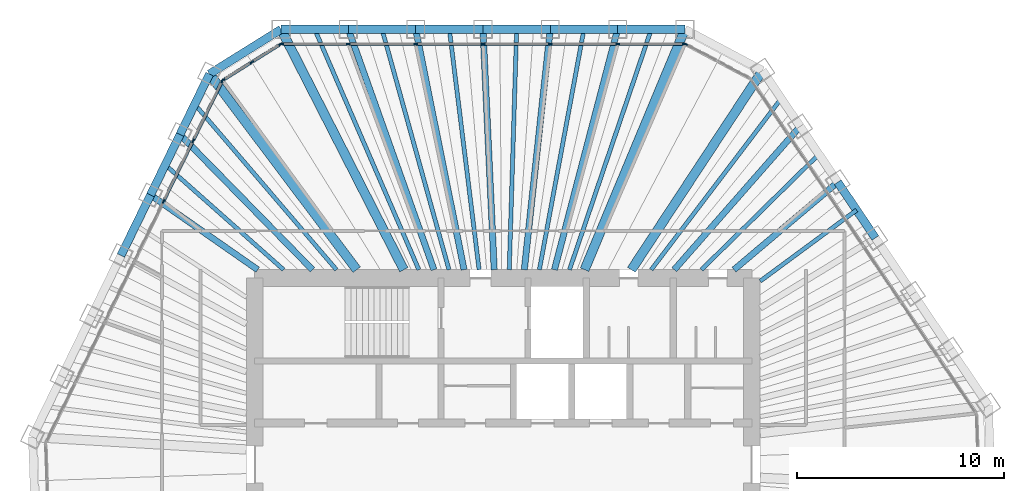
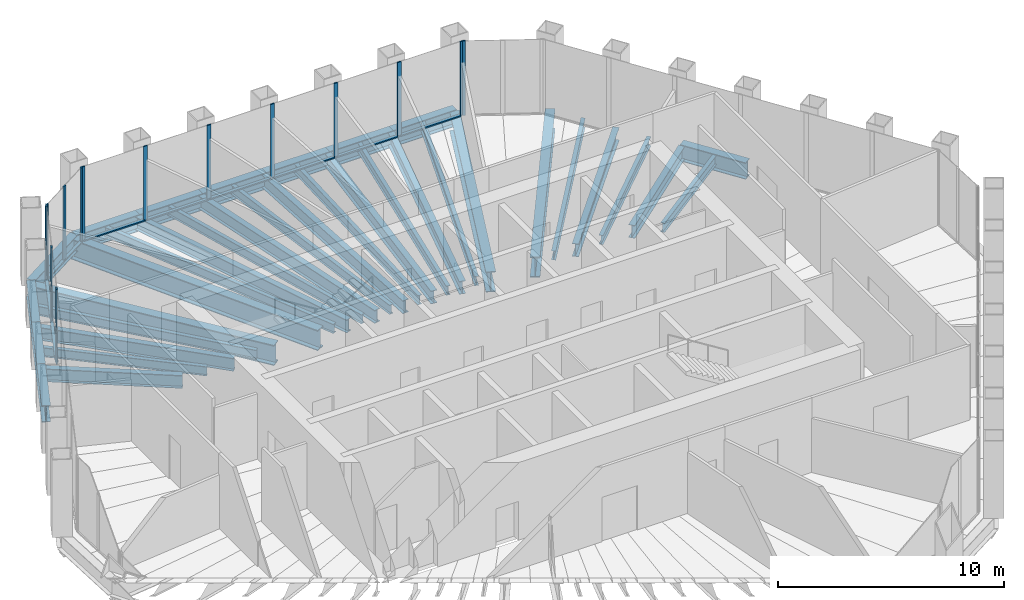
# One storey, part 7 of 15: 35 beams, 24 members, 4 elements without a shape of their own.
"""IFC4 building model written with IfcOpenShell, lengths in metres."""

from ifc_helpers import new_model, si_unit, direction, frame, origin, origin_2d, place, context, subcontext, project, spatial, rectangle, i_section, extrude, material, material_profile, profile_set, type_object, element, aggregate, save


model = new_model("IFC4")

# Units and contexts
model_context = context("Model", 3, precision=1e-05, world=origin(), true_north=direction((0.0, 1.0)))
body_context = subcontext(model_context, "Body", "Model", "MODEL_VIEW")
ifc_project = project(units=[si_unit("LENGTHUNIT", "METRE"), si_unit("AREAUNIT", "SQUARE_METRE"), si_unit("VOLUMEUNIT", "CUBIC_METRE"), si_unit("PLANEANGLEUNIT", "RADIAN"), si_unit("MASSUNIT", "GRAM", prefix="KILO")], contexts=[model_context])

# Site, building, storey
site_placement = place(None, origin())
site = spatial("IfcSite", under=ifc_project, at=site_placement, CompositionType="ELEMENT")
building_placement = place(site_placement, origin())
building = spatial("IfcBuilding", under=site, at=building_placement, Name="Qingtian Harvest Tower", CompositionType="ELEMENT")
storey_placement = place(building_placement, frame((0.0, 0.0, 312.39990234375)))
storey = spatial("IfcBuildingStorey", under=building, at=storey_placement, Name="L69", CompositionType="ELEMENT", Elevation=312.39990234375)

# Beams
ifc_material_1 = material(Name="Steel SM570MC", Category="steel")
ifc_material_profile_1 = material_profile(ifc_material_1, i_section(OverallWidth=0.449951171875, OverallDepth=1.10009765625, WebThickness=0.02197265625, FlangeThickness=0.044921875, at=origin_2d()), Name="H1100x450x22x45")
ifc_profile_set_1 = profile_set([ifc_material_profile_1], Name="Steel SM570MC")
beam_type_1 = type_object("IfcBeamType", Name="Corner floor beam FB8 H1100x450x22x45", PredefinedType="BEAM", material=ifc_profile_set_1)
beam_1_placement = place(storey_placement, frame((-10.72216796875, 21.0, -0.719970703125), z_axis=(0.454725592954, -0.890631593372, 0.0), x_axis=(0.890631593372, 0.454725592954, 0.0)))
element("IfcBeam", 1, at=beam_1_placement, inside=storey, type_object=beam_type_1, Name="Floor beam FB8 N0", PredefinedType="BEAM", context=body_context, shape_type="SweptSolid", body=[
    extrude(i_section(OverallWidth=0.449951171875, OverallDepth=1.10009765625, WebThickness=0.02197265625, FlangeThickness=0.044921875, at=origin_2d()), origin(), (0.0, 0.0, 1.0), 13.024658203125),
])
beam_2_placement = place(storey_placement, frame((8.765869140625, 21.0, -0.719970703125), z_axis=(-0.385202803059, -0.922831945977, 0.0), x_axis=(0.922831945977, -0.385202803059, 0.0)))
element("IfcBeam", 2, at=beam_2_placement, inside=storey, type_object=beam_type_1, Name="Floor beam FB8 N6", PredefinedType="BEAM", context=body_context, shape_type="SweptSolid", body=[
    extrude(i_section(OverallWidth=0.449951171875, OverallDepth=1.10009765625, WebThickness=0.02197265625, FlangeThickness=0.044921875, at=origin_2d()), origin(), (0.0, 0.0, 1.0), 12.570068359375),
])
beam_3_placement = place(storey_placement, frame((12.508056640625, 19.01025390625, -0.719970703125), z_axis=(-0.549655478371, -0.835391438247, 0.0), x_axis=(0.835391438247, -0.549655478371, 0.0)))
element("IfcBeam", 3, at=beam_3_placement, inside=storey, type_object=beam_type_1, Name="Floor beam FB8 NE0", PredefinedType="BEAM", context=body_context, shape_type="SweptSolid", body=[
    extrude(i_section(OverallWidth=0.449951171875, OverallDepth=1.10009765625, WebThickness=0.02197265625, FlangeThickness=0.044921875, at=origin_2d()), origin(), (0.0, 0.0, 1.0), 11.50390625),
])
beam_4_placement = place(storey_placement, frame((-14.17431640625, 18.8427734375, -0.719970703125), z_axis=(0.601143201392, -0.799141321307, 0.0), x_axis=(0.799141321307, 0.601143201392, 0.0)))
element("IfcBeam", 4, at=beam_4_placement, inside=storey, type_object=beam_type_1, Name="Floor beam FB8 NW6", PredefinedType="BEAM", context=body_context, shape_type="SweptSolid", body=[
    extrude(i_section(OverallWidth=0.449951171875, OverallDepth=1.10009765625, WebThickness=0.02197265625, FlangeThickness=0.044921875, at=origin_2d()), origin(), (0.0, 0.0, 1.0), 11.816162109375),
])
ifc_material_2 = material(Name="Steel SN490B", Category="steel")
ifc_material_profile_2 = material_profile(ifc_material_2, i_section(OverallWidth=0.300048828125, OverallDepth=0.699951171875, WebThickness=0.012939453125, FlangeThickness=0.02392578125, at=origin_2d()), Name="H700x300x13x24")
ifc_profile_set_2 = profile_set([ifc_material_profile_2], Name="Steel SN490B")
beam_type_2 = type_object("IfcBeamType", Name="Floor beam FB4 H700x300x13x24", PredefinedType="BEAM", material=ifc_profile_set_2)
beam_5_placement = place(storey_placement, frame((-7.47412109375, 21.0, -0.52001953125), z_axis=(0.335293644082, -0.942113672673, 0.0), x_axis=(0.942113672673, 0.335293644082, 0.0)))
element("IfcBeam", 5, at=beam_5_placement, inside=storey, type_object=beam_type_2, Name="Floor beam FB4 N1", PredefinedType="BEAM", context=body_context, shape_type="SweptSolid", body=[
    extrude(i_section(OverallWidth=0.300048828125, OverallDepth=0.699951171875, WebThickness=0.012939453125, FlangeThickness=0.02392578125, at=origin_2d()), origin(), (0.0, 0.0, 1.0), 12.312744140625),
])
beam_6_placement = place(storey_placement, frame((-4.226318359375, 21.0, -0.52001953125), z_axis=(0.197290474792, -0.980345076265, 0.0), x_axis=(0.980345076265, 0.197290474792, 0.0)))
element("IfcBeam", 6, at=beam_6_placement, inside=storey, type_object=beam_type_2, Name="Floor beam FB4 N2", PredefinedType="BEAM", context=body_context, shape_type="SweptSolid", body=[
    extrude(i_section(OverallWidth=0.300048828125, OverallDepth=0.699951171875, WebThickness=0.012939453125, FlangeThickness=0.02392578125, at=origin_2d()), origin(), (0.0, 0.0, 1.0), 11.832763671875),
])
beam_7_placement = place(storey_placement, frame((-0.978271484375, 21.0, -0.52001953125), z_axis=(0.046546287853, -0.998916134161, 0.0), x_axis=(0.998916134161, 0.046546287853, 0.0)))
element("IfcBeam", 7, at=beam_7_placement, inside=storey, type_object=beam_type_2, Name="Floor beam FB4 N3", PredefinedType="BEAM", context=body_context, shape_type="SweptSolid", body=[
    extrude(i_section(OverallWidth=0.300048828125, OverallDepth=0.699951171875, WebThickness=0.012939453125, FlangeThickness=0.02392578125, at=origin_2d()), origin(), (0.0, 0.0, 1.0), 11.61279296875),
])
beam_8_placement = place(storey_placement, frame((2.269775390625, 21.0, -0.52001953125), z_axis=(-0.107447744153, -0.994210733334, 0.0), x_axis=(0.994210733334, -0.107447744153, 0.0)))
element("IfcBeam", 8, at=beam_8_placement, inside=storey, type_object=beam_type_2, Name="Floor beam FB4 N4", PredefinedType="BEAM", context=body_context, shape_type="SweptSolid", body=[
    extrude(i_section(OverallWidth=0.300048828125, OverallDepth=0.699951171875, WebThickness=0.012939453125, FlangeThickness=0.02392578125, at=origin_2d()), origin(), (0.0, 0.0, 1.0), 11.667724609375),
])
beam_9_placement = place(storey_placement, frame((5.517822265625, 21.0, -0.52001953125), z_axis=(-0.254118548412, -0.967173078282, 0.0), x_axis=(0.967173078282, -0.254118548412, 0.0)))
element("IfcBeam", 9, at=beam_9_placement, inside=storey, type_object=beam_type_2, Name="Floor beam FB4 N5", PredefinedType="BEAM", context=body_context, shape_type="SweptSolid", body=[
    extrude(i_section(OverallWidth=0.300048828125, OverallDepth=0.699951171875, WebThickness=0.012939453125, FlangeThickness=0.02392578125, at=origin_2d()), origin(), (0.0, 0.0, 1.0), 11.993896484375),
])
beam_10_placement = place(storey_placement, frame((14.32421875, 16.317626953125, -0.52001953125), z_axis=(-0.659703637934, -0.751525854576, 0.0), x_axis=(0.751525854576, -0.659703637934, 0.0)))
element("IfcBeam", 10, at=beam_10_placement, inside=storey, type_object=beam_type_2, Name="Floor beam FB4 NE1", PredefinedType="BEAM", context=body_context, shape_type="SweptSolid", body=[
    extrude(i_section(OverallWidth=0.300048828125, OverallDepth=0.699951171875, WebThickness=0.012939453125, FlangeThickness=0.02392578125, at=origin_2d()), origin(), (0.0, 0.0, 1.0), 9.204833984375),
])
beam_11_placement = place(storey_placement, frame((16.140625, 13.624755859375, -0.52001953125), z_axis=(-0.764157701072, -0.645029462809, 0.0), x_axis=(0.645029462809, -0.764157701072, 0.0)))
element("IfcBeam", 11, at=beam_11_placement, inside=storey, type_object=beam_type_2, Name="Floor beam FB4 NE2", PredefinedType="BEAM", context=body_context, shape_type="SweptSolid", body=[
    extrude(i_section(OverallWidth=0.300048828125, OverallDepth=0.699951171875, WebThickness=0.012939453125, FlangeThickness=0.02392578125, at=origin_2d()), origin(), (0.0, 0.0, 1.0), 6.5498046875),
])
beam_12_placement = place(storey_placement, frame((-17.02197265625, 13.00439453125, -0.52001953125), z_axis=(0.820409176986, -0.571776864097, 0.0), x_axis=(0.571776864097, 0.820409176986, 0.0)))
element("IfcBeam", 12, at=beam_12_placement, inside=storey, type_object=beam_type_2, Name="Floor beam FB4 NW4", PredefinedType="BEAM", context=body_context, shape_type="SweptSolid", body=[
    extrude(i_section(OverallWidth=0.300048828125, OverallDepth=0.699951171875, WebThickness=0.012939453125, FlangeThickness=0.02392578125, at=origin_2d()), origin(), (0.0, 0.0, 1.0), 6.303955078125),
])
beam_13_placement = place(storey_placement, frame((-15.59814453125, 15.923583984375, -0.52001953125), z_axis=(0.699757003326, -0.714380946202, 0.0), x_axis=(0.714380946202, 0.699757003326, 0.0)))
element("IfcBeam", 13, at=beam_13_placement, inside=storey, type_object=beam_type_2, Name="Floor beam FB4 NW5", PredefinedType="BEAM", context=body_context, shape_type="SweptSolid", body=[
    extrude(i_section(OverallWidth=0.300048828125, OverallDepth=0.699951171875, WebThickness=0.012939453125, FlangeThickness=0.02392578125, at=origin_2d()), origin(), (0.0, 0.0, 1.0), 9.1318359375),
])
ifc_material_3 = material(Name="Steel SN490B", Category="steel")
ifc_material_profile_3 = material_profile(ifc_material_3, i_section(OverallWidth=0.199951171875, OverallDepth=0.5, WebThickness=0.010009765625, FlangeThickness=0.01611328125, at=origin_2d()), Name="H500x200x10x16")
ifc_profile_set_3 = profile_set([ifc_material_profile_3], Name="Steel SN490B")
beam_type_3 = type_object("IfcBeamType", Name="Floor joist J3 H500x200x10x16", PredefinedType="JOIST", material=ifc_profile_set_3)
beam_14_placement = place(storey_placement, frame((-9.09814453125, 21.0, -0.419921875), z_axis=(0.39753589741, -0.917586622761, 0.0), x_axis=(0.917586622761, 0.39753589741, 0.0)))
element("IfcBeam", 14, at=beam_14_placement, inside=storey, type_object=beam_type_3, Name="Floor joist J3 N0", PredefinedType="JOIST", context=body_context, shape_type="SweptSolid", body=[
    extrude(i_section(OverallWidth=0.199951171875, OverallDepth=0.5, WebThickness=0.010009765625, FlangeThickness=0.01611328125, at=origin_2d()), origin(), (0.0, 0.0, 1.0), 12.641845703125),
])
beam_15_placement = place(storey_placement, frame((-5.85009765625, 21.0, -0.419921875), z_axis=(0.268352758425, -0.963320713494, 0.0), x_axis=(0.963320713494, 0.268352758425, 0.0)))
element("IfcBeam", 15, at=beam_15_placement, inside=storey, type_object=beam_type_3, Name="Floor joist J3 N1", PredefinedType="JOIST", context=body_context, shape_type="SweptSolid", body=[
    extrude(i_section(OverallWidth=0.199951171875, OverallDepth=0.5, WebThickness=0.010009765625, FlangeThickness=0.01611328125, at=origin_2d()), origin(), (0.0, 0.0, 1.0), 12.041748046875),
])
beam_16_placement = place(storey_placement, frame((-2.602294921875, 21.0, -0.419921875), z_axis=(0.122980691304, -0.992409063626, 0.0), x_axis=(0.992409063626, 0.122980691304, 0.0)))
element("IfcBeam", 16, at=beam_16_placement, inside=storey, type_object=beam_type_3, Name="Floor joist J3 N2", PredefinedType="JOIST", context=body_context, shape_type="SweptSolid", body=[
    extrude(i_section(OverallWidth=0.199951171875, OverallDepth=0.5, WebThickness=0.010009765625, FlangeThickness=0.01611328125, at=origin_2d()), origin(), (0.0, 0.0, 1.0), 11.688720703125),
])
beam_17_placement = place(storey_placement, frame((0.645751953125, 21.0, -0.419921875), z_axis=(-0.030734305856, -0.999527589636, 0.0), x_axis=(0.999527589636, -0.030734305856, 0.0)))
element("IfcBeam", 17, at=beam_17_placement, inside=storey, type_object=beam_type_3, Name="Floor joist J3 N3", PredefinedType="JOIST", context=body_context, shape_type="SweptSolid", body=[
    extrude(i_section(OverallWidth=0.199951171875, OverallDepth=0.5, WebThickness=0.010009765625, FlangeThickness=0.01611328125, at=origin_2d()), origin(), (0.0, 0.0, 1.0), 11.60546875),
])
beam_18_placement = place(storey_placement, frame((3.893798828125, 21.0, -0.419921875), z_axis=(-0.182311561934, -0.983240812001, 0.0), x_axis=(0.983240812001, -0.182311561934, 0.0)))
element("IfcBeam", 18, at=beam_18_placement, inside=storey, type_object=beam_type_3, Name="Floor joist J3 N4", PredefinedType="JOIST", context=body_context, shape_type="SweptSolid", body=[
    extrude(i_section(OverallWidth=0.199951171875, OverallDepth=0.5, WebThickness=0.010009765625, FlangeThickness=0.01611328125, at=origin_2d()), origin(), (0.0, 0.0, 1.0), 11.7978515625),
])
beam_19_placement = place(storey_placement, frame((7.141845703125, 21.0, -0.419921875), z_axis=(-0.321978462512, -0.946746993488, 0.0), x_axis=(0.946746993488, -0.321978462512, 0.0)))
element("IfcBeam", 19, at=beam_19_placement, inside=storey, type_object=beam_type_3, Name="Floor joist J3 N5", PredefinedType="JOIST", context=body_context, shape_type="SweptSolid", body=[
    extrude(i_section(OverallWidth=0.199951171875, OverallDepth=0.5, WebThickness=0.010009765625, FlangeThickness=0.01611328125, at=origin_2d()), origin(), (0.0, 0.0, 1.0), 12.252685546875),
])
beam_20_placement = place(storey_placement, frame((13.416015625, 17.6640625, -0.419921875), z_axis=(-0.604829724016, -0.796354823522, 0.0), x_axis=(0.796354823522, -0.604829724016, 0.0)))
element("IfcBeam", 20, at=beam_20_placement, inside=storey, type_object=beam_type_3, Name="Floor joist J3 NE0", PredefinedType="JOIST", context=body_context, shape_type="SweptSolid", body=[
    extrude(i_section(OverallWidth=0.199951171875, OverallDepth=0.5, WebThickness=0.010009765625, FlangeThickness=0.01611328125, at=origin_2d()), origin(), (0.0, 0.0, 1.0), 10.37744140625),
])
beam_21_placement = place(storey_placement, frame((15.232421875, 14.97119140625, -0.419921875), z_axis=(-0.713193091885, -0.700967626704, 0.0), x_axis=(0.700967626704, -0.713193091885, 0.0)))
element("IfcBeam", 21, at=beam_21_placement, inside=storey, type_object=beam_type_3, Name="Floor joist J3 NE1", PredefinedType="JOIST", context=body_context, shape_type="SweptSolid", body=[
    extrude(i_section(OverallWidth=0.199951171875, OverallDepth=0.5, WebThickness=0.010009765625, FlangeThickness=0.01611328125, at=origin_2d()), origin(), (0.0, 0.0, 1.0), 7.947998046875),
])
beam_22_placement = place(storey_placement, frame((17.048583984375, 12.278564453125, -0.419921875), z_axis=(-0.804797608796, -0.59354933146, 0.0), x_axis=(0.59354933146, -0.804797608796, 0.0)))
element("IfcBeam", 22, at=beam_22_placement, inside=storey, type_object=beam_type_3, Name="Floor joist J3 NE2", PredefinedType="JOIST", context=body_context, shape_type="SweptSolid", body=[
    extrude(i_section(OverallWidth=0.199951171875, OverallDepth=0.5, WebThickness=0.010009765625, FlangeThickness=0.01611328125, at=origin_2d()), origin(), (0.0, 0.0, 1.0), 5.776123046875),
])
beam_23_placement = place(storey_placement, frame((-16.31005859375, 14.4638671875, -0.419921875), z_axis=(0.748174776717, -0.663501698177, 0.0), x_axis=(0.663501698177, 0.748174776717, 0.0)))
element("IfcBeam", 23, at=beam_23_placement, inside=storey, type_object=beam_type_3, Name="Floor joist J3 NW4", PredefinedType="JOIST", context=body_context, shape_type="SweptSolid", body=[
    extrude(i_section(OverallWidth=0.199951171875, OverallDepth=0.5, WebThickness=0.010009765625, FlangeThickness=0.01611328125, at=origin_2d()), origin(), (0.0, 0.0, 1.0), 7.632080078125),
])
beam_24_placement = place(storey_placement, frame((-14.88623046875, 17.38330078125, -0.419921875), z_axis=(0.650435500933, -0.75956149134, 0.0), x_axis=(0.75956149134, 0.650435500933, 0.0)))
element("IfcBeam", 24, at=beam_24_placement, inside=storey, type_object=beam_type_3, Name="Floor joist J3 NW5", PredefinedType="JOIST", context=body_context, shape_type="SweptSolid", body=[
    extrude(i_section(OverallWidth=0.199951171875, OverallDepth=0.5, WebThickness=0.010009765625, FlangeThickness=0.01611328125, at=origin_2d()), origin(), (0.0, 0.0, 1.0), 10.510498046875),
])

# Curtain wall, members
ifc_material_4 = material(Name="Bronze-anodised aluminium curtain wall", Category="aluminium")
curtain_wall_type = type_object("IfcCurtainWallType", Name="Curtain wall CW5 upper office", PredefinedType="USERDEFINED", material=ifc_material_4)
curtain_wall_1_placement = place(storey_placement, origin())
curtain_wall_1 = element("IfcCurtainWall", 25, at=curtain_wall_1_placement, inside=storey, type_object=curtain_wall_type, Name="Curtain wall CW5 L69 N0-5", ObjectType="RECESSED CURTAIN WALL", PredefinedType="USERDEFINED")
ifc_material_5 = material(Name="Bronze-anodised aluminium mullion", Category="aluminium")
ifc_material_profile_4 = material_profile(ifc_material_5, rectangle(XDim=0.06494140625, YDim=0.199951171875, at=origin_2d()), Name="AL 65x200")
ifc_profile_set_4 = profile_set([ifc_material_profile_4], Name="Bronze-anodised aluminium mullion")
member_type_1 = type_object("IfcMemberType", Name="Mullion CWM 65x200", PredefinedType="MULLION", material=ifc_profile_set_4)
member_1_placement = place(storey_placement, frame((-10.689697265625, 20.300048828125, 0.0), z_axis=(0.0, 0.0, 1.0), x_axis=(0.0, 1.0, 0.0)))
member_1 = element("IfcMember", 26, at=member_1_placement, type_object=member_type_1, Name="CW5 mullion 1", PredefinedType="MULLION", context=body_context, shape_type="SweptSolid", body=[
    extrude(rectangle(XDim=0.06494140625, YDim=0.199951171875, at=origin_2d()), origin(), (0.0, 0.0, 1.0), 4.030029296875),
])
member_2_placement = place(storey_placement, frame((-7.47412109375, 20.300048828125, 0.0), z_axis=(0.0, 0.0, 1.0), x_axis=(0.0, 1.0, 0.0)))
member_2 = element("IfcMember", 27, at=member_2_placement, type_object=member_type_1, Name="CW5 mullion 2", PredefinedType="MULLION", context=body_context, shape_type="SweptSolid", body=[
    extrude(rectangle(XDim=0.06494140625, YDim=0.199951171875, at=origin_2d()), origin(), (0.0, 0.0, 1.0), 4.030029296875),
])
member_3_placement = place(storey_placement, frame((-4.226318359375, 20.300048828125, 0.0), z_axis=(0.0, 0.0, 1.0), x_axis=(0.0, 1.0, 0.0)))
member_3 = element("IfcMember", 28, at=member_3_placement, type_object=member_type_1, Name="CW5 mullion 3", PredefinedType="MULLION", context=body_context, shape_type="SweptSolid", body=[
    extrude(rectangle(XDim=0.06494140625, YDim=0.199951171875, at=origin_2d()), origin(), (0.0, 0.0, 1.0), 4.030029296875),
])
member_4_placement = place(storey_placement, frame((-0.978271484375, 20.300048828125, 0.0), z_axis=(0.0, 0.0, 1.0), x_axis=(0.0, 1.0, 0.0)))
member_4 = element("IfcMember", 29, at=member_4_placement, type_object=member_type_1, Name="CW5 mullion 4", PredefinedType="MULLION", context=body_context, shape_type="SweptSolid", body=[
    extrude(rectangle(XDim=0.06494140625, YDim=0.199951171875, at=origin_2d()), origin(), (0.0, 0.0, 1.0), 4.030029296875),
])
member_5_placement = place(storey_placement, frame((2.269775390625, 20.300048828125, 0.0), z_axis=(0.0, 0.0, 1.0), x_axis=(0.0, 1.0, 0.0)))
member_5 = element("IfcMember", 30, at=member_5_placement, type_object=member_type_1, Name="CW5 mullion 5", PredefinedType="MULLION", context=body_context, shape_type="SweptSolid", body=[
    extrude(rectangle(XDim=0.06494140625, YDim=0.199951171875, at=origin_2d()), origin(), (0.0, 0.0, 1.0), 4.030029296875),
])
member_6_placement = place(storey_placement, frame((5.517822265625, 20.300048828125, 0.0), z_axis=(0.0, 0.0, 1.0), x_axis=(0.0, 1.0, 0.0)))
member_6 = element("IfcMember", 31, at=member_6_placement, type_object=member_type_1, Name="CW5 mullion 6", PredefinedType="MULLION", context=body_context, shape_type="SweptSolid", body=[
    extrude(rectangle(XDim=0.06494140625, YDim=0.199951171875, at=origin_2d()), origin(), (0.0, 0.0, 1.0), 4.030029296875),
])
member_7_placement = place(storey_placement, frame((8.7333984375, 20.300048828125, 0.0), z_axis=(0.0, 0.0, 1.0), x_axis=(0.0, 1.0, 0.0)))
member_7 = element("IfcMember", 32, at=member_7_placement, type_object=member_type_1, Name="CW5 mullion 7", PredefinedType="MULLION", context=body_context, shape_type="SweptSolid", body=[
    extrude(rectangle(XDim=0.06494140625, YDim=0.199951171875, at=origin_2d()), origin(), (0.0, 0.0, 1.0), 4.030029296875),
])

# Curtain wall, member
curtain_wall_2_placement = place(storey_placement, origin())
curtain_wall_2 = element("IfcCurtainWall", 33, at=curtain_wall_2_placement, inside=storey, type_object=curtain_wall_type, Name="Curtain wall CW5 L69 NC", ObjectType="RECESSED CURTAIN WALL", PredefinedType="USERDEFINED")
member_8_placement = place(storey_placement, frame((8.794677734375, 20.28466796875, 0.0), z_axis=(0.0, 0.0, 1.0), x_axis=(0.469471562786, 0.882947592859, 0.0)))
member_8 = element("IfcMember", 34, at=member_8_placement, type_object=member_type_1, Name="CW5 mullion 1", PredefinedType="MULLION", context=body_context, shape_type="SweptSolid", body=[
    extrude(rectangle(XDim=0.06494140625, YDim=0.199951171875, at=origin_2d()), origin(), (0.0, 0.0, 1.0), 4.030029296875),
])
aggregate(curtain_wall_2, [member_8])

# Curtain wall, members
curtain_wall_3_placement = place(storey_placement, origin())
curtain_wall_3 = element("IfcCurtainWall", 35, at=curtain_wall_3_placement, inside=storey, type_object=curtain_wall_type, Name="Curtain wall CW5 L69 NW0-5", ObjectType="RECESSED CURTAIN WALL", PredefinedType="USERDEFINED")
member_9_placement = place(storey_placement, frame((-16.392822265625, 12.697509765625, 0.0), z_axis=(0.0, 0.0, 1.0), x_axis=(-0.898794046299, 0.438371146789, 0.0)))
member_9 = element("IfcMember", 36, at=member_9_placement, type_object=member_type_1, Name="CW5 mullion 5", PredefinedType="MULLION", context=body_context, shape_type="SweptSolid", body=[
    extrude(rectangle(XDim=0.06494140625, YDim=0.199951171875, at=origin_2d()), origin(), (0.0, 0.0, 1.0), 4.030029296875),
])
member_10_placement = place(storey_placement, frame((-14.968994140625, 15.61669921875, 0.0), z_axis=(0.0, 0.0, 1.0), x_axis=(-0.898794046299, 0.438371146789, 0.0)))
member_10 = element("IfcMember", 37, at=member_10_placement, type_object=member_type_1, Name="CW5 mullion 6", PredefinedType="MULLION", context=body_context, shape_type="SweptSolid", body=[
    extrude(rectangle(XDim=0.06494140625, YDim=0.199951171875, at=origin_2d()), origin(), (0.0, 0.0, 1.0), 4.030029296875),
])
member_11_placement = place(storey_placement, frame((-13.559326171875, 18.5068359375, 0.0), z_axis=(0.0, 0.0, 1.0), x_axis=(-0.898794046299, 0.438371146789, 0.0)))
member_11 = element("IfcMember", 38, at=member_11_placement, type_object=member_type_1, Name="CW5 mullion 7", PredefinedType="MULLION", context=body_context, shape_type="SweptSolid", body=[
    extrude(rectangle(XDim=0.06494140625, YDim=0.199951171875, at=origin_2d()), origin(), (0.0, 0.0, 1.0), 4.030029296875),
])

curtain_wall_4_placement = place(storey_placement, origin())
curtain_wall_4 = element("IfcCurtainWall", 39, at=curtain_wall_4_placement, inside=storey, type_object=curtain_wall_type, Name="Curtain wall CW5 L69 NWC", ObjectType="RECESSED CURTAIN WALL", PredefinedType="USERDEFINED")
member_12_placement = place(storey_placement, frame((-13.517578125, 18.55322265625, 0.0), z_axis=(0.0, 0.0, 1.0), x_axis=(-0.529919264233, 0.848048096156, 0.0)))
member_12 = element("IfcMember", 40, at=member_12_placement, type_object=member_type_1, Name="CW5 mullion 1", PredefinedType="MULLION", context=body_context, shape_type="SweptSolid", body=[
    extrude(rectangle(XDim=0.06494140625, YDim=0.199951171875, at=origin_2d()), origin(), (0.0, 0.0, 1.0), 4.030029296875),
])
member_13_placement = place(storey_placement, frame((-12.1337890625, 19.41796875, 0.0), z_axis=(0.0, 0.0, 1.0), x_axis=(-0.529919264233, 0.848048096156, 0.0)))
member_13 = element("IfcMember", 41, at=member_13_placement, type_object=member_type_1, Name="CW5 mullion 2", PredefinedType="MULLION", context=body_context, shape_type="SweptSolid", body=[
    extrude(rectangle(XDim=0.06494140625, YDim=0.199951171875, at=origin_2d()), origin(), (0.0, 0.0, 1.0), 4.030029296875),
])
member_14_placement = place(storey_placement, frame((-10.749755859375, 20.28271484375, 0.0), z_axis=(0.0, 0.0, 1.0), x_axis=(-0.529919264233, 0.848048096156, 0.0)))
member_14 = element("IfcMember", 42, at=member_14_placement, type_object=member_type_1, Name="CW5 mullion 3", PredefinedType="MULLION", context=body_context, shape_type="SweptSolid", body=[
    extrude(rectangle(XDim=0.06494140625, YDim=0.199951171875, at=origin_2d()), origin(), (0.0, 0.0, 1.0), 4.030029296875),
])

# Beams
ifc_material_6 = material(Name="Steel SN490B", Category="steel")
ifc_material_profile_5 = material_profile(ifc_material_6, i_section(OverallWidth=0.39990234375, OverallDepth=0.89990234375, WebThickness=0.01904296875, FlangeThickness=0.035888671875, at=origin_2d()), Name="H900x400x19x36")
ifc_profile_set_5 = profile_set([ifc_material_profile_5], Name="Steel SN490B")
beam_type_4 = type_object("IfcBeamType", Name="Spandrel beam SB4 H900x400x19x36", PredefinedType="SPANDREL", material=ifc_profile_set_5)
beam_25_placement = place(storey_placement, frame((-10.72216796875, 21.0, -0.449951171875), z_axis=(1.0, 0.0, 0.0), x_axis=(0.0, 1.0, 0.0)))
element("IfcBeam", 43, at=beam_25_placement, inside=storey, type_object=beam_type_4, Name="Spandrel SB4 N0", PredefinedType="SPANDREL", context=body_context, shape_type="SweptSolid", body=[
    extrude(i_section(OverallWidth=0.39990234375, OverallDepth=0.89990234375, WebThickness=0.01904296875, FlangeThickness=0.035888671875, at=origin_2d()), origin(), (0.0, 0.0, 1.0), 3.248046875),
])
beam_26_placement = place(storey_placement, frame((-7.47412109375, 21.0, -0.449951171875), z_axis=(1.0, 0.0, 0.0), x_axis=(0.0, 1.0, 0.0)))
element("IfcBeam", 44, at=beam_26_placement, inside=storey, type_object=beam_type_4, Name="Spandrel SB4 N1", PredefinedType="SPANDREL", context=body_context, shape_type="SweptSolid", body=[
    extrude(i_section(OverallWidth=0.39990234375, OverallDepth=0.89990234375, WebThickness=0.01904296875, FlangeThickness=0.035888671875, at=origin_2d()), origin(), (0.0, 0.0, 1.0), 3.247802734375),
])
for number, where, z_axis, x_axis, name in (
    (45, (-4.226318359375, 21.0, -0.449951171875), (1.0, 0.0, 0.0), (0.0, 1.0, 0.0), "Spandrel SB4 N2"),
    (46, (-0.978271484375, 21.0, -0.449951171875), (1.0, 0.0, 0.0), (0.0, 1.0, 0.0), "Spandrel SB4 N3"),
    (47, (2.269775390625, 21.0, -0.449951171875), (1.0, 0.0, 0.0), (0.0, 1.0, 0.0), "Spandrel SB4 N4"),
    (48, (5.517822265625, 21.0, -0.449951171875), (1.0, 0.0, 0.0), (0.0, 1.0, 0.0), "Spandrel SB4 N5"),
):
    element("IfcBeam", number, at=place(storey_placement, frame(where, z_axis=z_axis, x_axis=x_axis)), inside=storey, type_object=beam_type_4, Name=name, PredefinedType="SPANDREL", context=body_context, shape_type="SweptSolid", body=[
        extrude(i_section(OverallWidth=0.39990234375, OverallDepth=0.89990234375, WebThickness=0.01904296875, FlangeThickness=0.035888671875, at=origin_2d()), origin(), (0.0, 0.0, 1.0), 3.248046875),
    ])
beam_27_placement = place(storey_placement, frame((16.140625, 13.624755859375, -0.449951171875), z_axis=(0.559184924833, -0.829042954158, 0.0), x_axis=(0.829042954158, 0.559184924833, 0.0)))
element("IfcBeam", 49, at=beam_27_placement, inside=storey, type_object=beam_type_4, Name="Spandrel SB4 NE2", PredefinedType="SPANDREL", context=body_context, shape_type="SweptSolid", body=[
    extrude(i_section(OverallWidth=0.39990234375, OverallDepth=0.89990234375, WebThickness=0.01904296875, FlangeThickness=0.035888671875, at=origin_2d()), origin(), (0.0, 0.0, 1.0), 3.247802734375),
])
beam_28_placement = place(storey_placement, frame((-18.44580078125, 10.0849609375, -0.449951171875), z_axis=(0.438352548749, 0.898803116931, 0.0), x_axis=(-0.898803116931, 0.438352548749, 0.0)))
element("IfcBeam", 50, at=beam_28_placement, inside=storey, type_object=beam_type_4, Name="Spandrel SB4 NW3", PredefinedType="SPANDREL", context=body_context, shape_type="SweptSolid", body=[
    extrude(i_section(OverallWidth=0.39990234375, OverallDepth=0.89990234375, WebThickness=0.01904296875, FlangeThickness=0.035888671875, at=origin_2d()), origin(), (0.0, 0.0, 1.0), 3.248046875),
])
for number, where, z_axis, x_axis, name in (
    (51, (-17.02197265625, 13.00439453125, -0.449951171875), (0.438382164311, 0.898788672611, 0.0), (-0.898788672611, 0.438382164311, 0.0), "Spandrel SB4 NW4"),
    (52, (-15.59814453125, 15.923583984375, -0.449951171875), (0.438382164311, 0.898788672611, 0.0), (-0.898788672611, 0.438382164311, 0.0), "Spandrel SB4 NW5"),
):
    element("IfcBeam", number, at=place(storey_placement, frame(where, z_axis=z_axis, x_axis=x_axis)), inside=storey, type_object=beam_type_4, Name=name, PredefinedType="SPANDREL", context=body_context, shape_type="SweptSolid", body=[
        extrude(i_section(OverallWidth=0.39990234375, OverallDepth=0.89990234375, WebThickness=0.01904296875, FlangeThickness=0.035888671875, at=origin_2d()), origin(), (0.0, 0.0, 1.0), 3.247802734375),
    ])
beam_29_placement = place(storey_placement, frame((-14.17431640625, 18.8427734375, -0.449951171875), z_axis=(0.848038733752, 0.529934246919, 0.0), x_axis=(-0.529934246919, 0.848038733752, 0.0)))
element("IfcBeam", 53, at=beam_29_placement, inside=storey, type_object=beam_type_4, Name="Spandrel SB4 NWC", PredefinedType="SPANDREL", context=body_context, shape_type="SweptSolid", body=[
    extrude(i_section(OverallWidth=0.39990234375, OverallDepth=0.89990234375, WebThickness=0.01904296875, FlangeThickness=0.035888671875, at=origin_2d()), origin(), (0.0, 0.0, 1.0), 4.07080078125),
])

# Member
ifc_material_7 = material(Name="Bronze-anodised aluminium transom", Category="aluminium")
ifc_material_profile_6 = material_profile(ifc_material_7, rectangle(XDim=0.14990234375, YDim=0.06494140625, at=origin_2d()), Name="AL 65x150")
ifc_profile_set_6 = profile_set([ifc_material_profile_6], Name="Bronze-anodised aluminium transom")
member_type_2 = type_object("IfcMemberType", Name="Transom CWT 65x150", PredefinedType="USERDEFINED", material=ifc_profile_set_6)
member_15_placement = place(storey_placement, frame((-10.6572265625, 20.300048828125, 0.03271484375), z_axis=(1.0, 0.0, 0.0), x_axis=(0.0, 1.0, 0.0)))
member_15 = element("IfcMember", 54, at=member_15_placement, type_object=member_type_2, Name="CW5 transom 1.1", ObjectType="TRANSOM", PredefinedType="USERDEFINED", context=body_context, shape_type="SweptSolid", body=[
    extrude(rectangle(XDim=0.14990234375, YDim=0.06494140625, at=origin_2d()), origin(), (0.0, 0.0, 1.0), 3.150390625),
])

member_16_placement = place(storey_placement, frame((-7.441650390625, 20.300048828125, 0.03271484375), z_axis=(1.0, 0.0, 0.0), x_axis=(0.0, 1.0, 0.0)))
member_16 = element("IfcMember", 55, at=member_16_placement, type_object=member_type_2, Name="CW5 transom 2.1", ObjectType="TRANSOM", PredefinedType="USERDEFINED", context=body_context, shape_type="SweptSolid", body=[
    extrude(rectangle(XDim=0.14990234375, YDim=0.06494140625, at=origin_2d()), origin(), (0.0, 0.0, 1.0), 3.182861328125),
])

member_17_placement = place(storey_placement, frame((-4.193603515625, 20.300048828125, 0.03271484375), z_axis=(1.0, 0.0, 0.0), x_axis=(0.0, 1.0, 0.0)))
member_17 = element("IfcMember", 56, at=member_17_placement, type_object=member_type_2, Name="CW5 transom 3.1", ObjectType="TRANSOM", PredefinedType="USERDEFINED", context=body_context, shape_type="SweptSolid", body=[
    extrude(rectangle(XDim=0.14990234375, YDim=0.06494140625, at=origin_2d()), origin(), (0.0, 0.0, 1.0), 3.182861328125),
])

member_18_placement = place(storey_placement, frame((-0.94580078125, 20.300048828125, 0.03271484375), z_axis=(1.0, 0.0, 0.0), x_axis=(0.0, 1.0, 0.0)))
member_18 = element("IfcMember", 57, at=member_18_placement, type_object=member_type_2, Name="CW5 transom 4.1", ObjectType="TRANSOM", PredefinedType="USERDEFINED", context=body_context, shape_type="SweptSolid", body=[
    extrude(rectangle(XDim=0.14990234375, YDim=0.06494140625, at=origin_2d()), origin(), (0.0, 0.0, 1.0), 3.18310546875),
])

member_19_placement = place(storey_placement, frame((2.30224609375, 20.300048828125, 0.03271484375), z_axis=(1.0, 0.0, 0.0), x_axis=(0.0, 1.0, 0.0)))
member_19 = element("IfcMember", 58, at=member_19_placement, type_object=member_type_2, Name="CW5 transom 5.1", ObjectType="TRANSOM", PredefinedType="USERDEFINED", context=body_context, shape_type="SweptSolid", body=[
    extrude(rectangle(XDim=0.14990234375, YDim=0.06494140625, at=origin_2d()), origin(), (0.0, 0.0, 1.0), 3.18310546875),
])

member_20_placement = place(storey_placement, frame((5.55029296875, 20.300048828125, 0.03271484375), z_axis=(1.0, 0.0, 0.0), x_axis=(0.0, 1.0, 0.0)))
member_20 = element("IfcMember", 59, at=member_20_placement, type_object=member_type_2, Name="CW5 transom 6.1", ObjectType="TRANSOM", PredefinedType="USERDEFINED", context=body_context, shape_type="SweptSolid", body=[
    extrude(rectangle(XDim=0.14990234375, YDim=0.06494140625, at=origin_2d()), origin(), (0.0, 0.0, 1.0), 3.150634765625),
])

aggregate(curtain_wall_1, [member_1, member_2, member_3, member_4, member_5, member_6, member_7, member_15, member_16, member_17, member_18, member_19, member_20])

member_21_placement = place(storey_placement, frame((-16.378662109375, 12.7265625, 0.03271484375), z_axis=(0.438355626738, 0.898801615768, 0.0), x_axis=(-0.898801615768, 0.438355626738, 0.0)))
member_21 = element("IfcMember", 60, at=member_21_placement, type_object=member_type_2, Name="CW5 transom 5.1", ObjectType="TRANSOM", PredefinedType="USERDEFINED", context=body_context, shape_type="SweptSolid", body=[
    extrude(rectangle(XDim=0.14990234375, YDim=0.06494140625, at=origin_2d()), origin(), (0.0, 0.0, 1.0), 3.182861328125),
])

member_22_placement = place(storey_placement, frame((-14.954833984375, 15.64599609375, 0.03271484375), z_axis=(0.438388515075, 0.898785575012, 0.0), x_axis=(-0.898785575012, 0.438388515075, 0.0)))
member_22 = element("IfcMember", 61, at=member_22_placement, type_object=member_type_2, Name="CW5 transom 6.1", ObjectType="TRANSOM", PredefinedType="USERDEFINED", context=body_context, shape_type="SweptSolid", body=[
    extrude(rectangle(XDim=0.14990234375, YDim=0.06494140625, at=origin_2d()), origin(), (0.0, 0.0, 1.0), 3.150390625),
])

aggregate(curtain_wall_3, [member_9, member_10, member_11, member_21, member_22])

member_23_placement = place(storey_placement, frame((-13.489990234375, 18.570556640625, 0.03271484375), z_axis=(0.848015812303, 0.529970925697, 0.0), x_axis=(-0.529970925697, 0.848015812303, 0.0)))
member_23 = element("IfcMember", 62, at=member_23_placement, type_object=member_type_2, Name="CW5 transom 1.1", ObjectType="TRANSOM", PredefinedType="USERDEFINED", context=body_context, shape_type="SweptSolid", body=[
    extrude(rectangle(XDim=0.14990234375, YDim=0.06494140625, at=origin_2d()), origin(), (0.0, 0.0, 1.0), 1.566650390625),
])

member_24_placement = place(storey_placement, frame((-12.106201171875, 19.435302734375, 0.03271484375), z_axis=(0.848059570903, 0.529900900357, 0.0), x_axis=(-0.529900900357, 0.848059570903, 0.0)))
member_24 = element("IfcMember", 63, at=member_24_placement, type_object=member_type_2, Name="CW5 transom 2.1", ObjectType="TRANSOM", PredefinedType="USERDEFINED", context=body_context, shape_type="SweptSolid", body=[
    extrude(rectangle(XDim=0.14990234375, YDim=0.06494140625, at=origin_2d()), origin(), (0.0, 0.0, 1.0), 1.56689453125),
])

aggregate(curtain_wall_4, [member_12, member_13, member_14, member_23, member_24])

save(model, "model.ifc")
